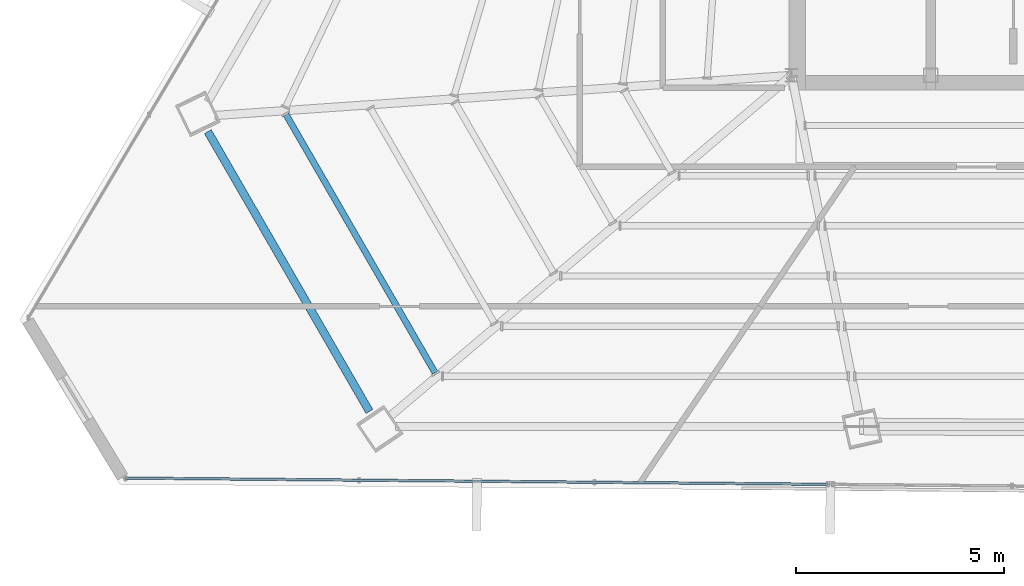
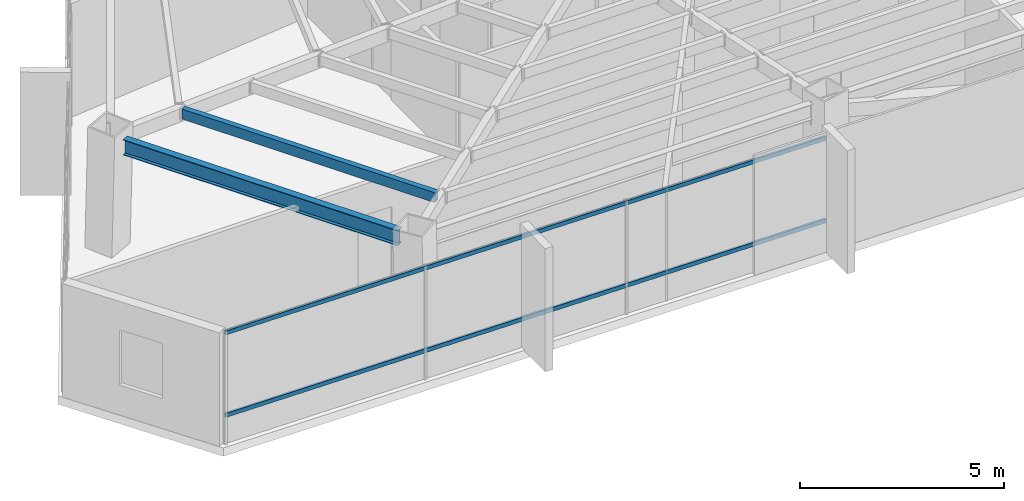
# One storey, part 4 of 49: 2 beams, 2 members, 1 element without a shape of its own.
"""IFC4 building model written with IfcOpenShell, lengths in metres."""

from ifc_helpers import new_model, si_unit, direction, frame, origin, origin_2d, place, context, subcontext, project, spatial, hollow_rectangle, i_section, extrude, source, transform, mapped, material, material_profile, profile_set, type_object, type_shapes, element, aggregate, save


model = new_model("IFC4")

# Units and contexts
model_context = context("Model", 3, precision=1e-05, world=origin(), true_north=direction((0.0, 1.0)))
body_context = subcontext(model_context, "Body", "Model", "MODEL_VIEW")
ifc_project = project(units=[si_unit("LENGTHUNIT", "METRE"), si_unit("AREAUNIT", "SQUARE_METRE"), si_unit("VOLUMEUNIT", "CUBIC_METRE"), si_unit("PLANEANGLEUNIT", "RADIAN"), si_unit("MASSUNIT", "GRAM", prefix="KILO")], contexts=[model_context])

# Site, building, storey
site_placement = place(None, origin())
site = spatial("IfcSite", under=ifc_project, at=site_placement, CompositionType="ELEMENT")
building_placement = place(site_placement, origin())
building = spatial("IfcBuilding", under=site, at=building_placement, Name="Caelisora Broadcast Tower", CompositionType="ELEMENT")
storey_placement = place(building_placement, frame((0.0, 0.0, 233.5)))
storey = spatial("IfcBuildingStorey", under=building, at=storey_placement, Name="L61", CompositionType="ELEMENT", Elevation=233.5)

# Beams
ifc_material_1 = material(Name="Steel Grade 350 (AS/NZS 3679.1)", Category="steel")
ifc_material_profile_1 = material_profile(ifc_material_1, i_section(OverallWidth=0.19091796875, OverallDepth=0.46044921875, WebThickness=0.010009765625, FlangeThickness=0.01611328125, at=origin_2d()), Name="Steel Grade 350 (AS/NZS 3679.1)")
ifc_profile_set_1 = profile_set([ifc_material_profile_1], Name="Steel Grade 350 (AS/NZS 3679.1)")
beam_type_1 = type_object("IfcBeamType", Name="PG06", PredefinedType="BEAM", material=ifc_profile_set_1)
shared_shape_1 = source(origin(), body_context, "Body", "SweptSolid", [
    extrude(i_section(OverallWidth=0.19091796875, OverallDepth=0.46044921875, WebThickness=0.010009765625, FlangeThickness=0.01611328125, at=origin_2d()), origin(), (0.0, 0.0, 1.0), 7.77978515625),
])
type_shapes(beam_type_1, [shared_shape_1])
beam_1_placement = place(storey_placement, frame((16.447509765625, 16.04833984375, 3.169921875), z_axis=(0.499996813733, -0.866027243369, 0.0), x_axis=(0.866027243369, 0.499996813733, 0.0)))
element("IfcBeam", 1, at=beam_1_placement, inside=storey, type_object=beam_type_1, Name="L61 beam PG06", PredefinedType="BEAM", context=body_context, shape_type="MappedRepresentation", body=[
    mapped(shared_shape_1, transform((0.0, 0.0, 0.0), scale=1.0)),
])
ifc_material_2 = material(Name="Steel Grade 350 (AS/NZS 1163 C350L0)", Category="steel")
ifc_material_profile_2 = material_profile(ifc_material_2, hollow_rectangle(XDim=0.14990234375, YDim=0.300048828125, WallThickness=0.010009765625, at=origin_2d()), Name="Steel Grade 350 (AS/NZS 1163 C350L0)")
ifc_profile_set_2 = profile_set([ifc_material_profile_2], Name="Steel Grade 350 (AS/NZS 1163 C350L0)")
beam_type_2 = type_object("IfcBeamType", Name="SB05", PredefinedType="JOIST", material=ifc_profile_set_2)
shared_shape_2 = source(origin(), body_context, "Body", "SweptSolid", [
    extrude(hollow_rectangle(XDim=0.14990234375, YDim=0.300048828125, WallThickness=0.010009765625, at=origin_2d()), origin(), (0.0, 0.0, 1.0), 7.174560546875),
])
type_shapes(beam_type_2, [shared_shape_2])
beam_2_placement = place(storey_placement, frame((18.330810546875, 16.456298828125, 3.25), z_axis=(0.500011118242, -0.866018984569, 0.0), x_axis=(0.866018984569, 0.500011118242, 0.0)))
element("IfcBeam", 2, at=beam_2_placement, inside=storey, type_object=beam_type_2, Name="L61 beam SB05", PredefinedType="JOIST", context=body_context, shape_type="MappedRepresentation", body=[
    mapped(shared_shape_2, transform((0.0, 0.0, 0.0), scale=1.0)),
])

# Curtain wall, members
ifc_material_3 = material(Name="Unitised Aluminium and Low-E Glass Curtain Wall", Category="glass")
curtain_wall_type = type_object("IfcCurtainWallType", Name="CW-Z5", PredefinedType="NOTDEFINED", material=ifc_material_3)
curtain_wall_placement = place(storey_placement, origin())
curtain_wall = element("IfcCurtainWall", 3, at=curtain_wall_placement, inside=storey, type_object=curtain_wall_type, Name="L61 curtain wall CW-Z5", PredefinedType="NOTDEFINED")
ifc_material_4 = material(Name="Aluminium 6063-T6 Anodised Terracotta Bronze", Category="aluminium")
ifc_material_profile_3 = material_profile(ifc_material_4, hollow_rectangle(XDim=0.06005859375, YDim=0.1201171875, WallThickness=0.0029296875, at=origin_2d()), Name="Aluminium 6063-T6 Anodised Terracotta Bronze")
ifc_profile_set_3 = profile_set([ifc_material_profile_3], Name="Aluminium 6063-T6 Anodised Terracotta Bronze")
member_type = type_object("IfcMemberType", Name="CWT-03", PredefinedType="USERDEFINED", material=ifc_profile_set_3)
shared_shape_3 = source(origin(), body_context, "Body", "SweptSolid", [
    extrude(hollow_rectangle(XDim=0.06005859375, YDim=0.1201171875, WallThickness=0.0029296875, at=origin_2d()), origin(), (0.0, 0.0, 1.0), 16.919189453125),
])
type_shapes(member_type, [shared_shape_3])
member_1_placement = place(storey_placement, frame((31.38134765625, 7.556884765625, 0.85009765625), z_axis=(-0.999960365525, 0.008903222972, 0.0), x_axis=(-0.008903222972, -0.999960365525, 0.0)))
member_1 = element("IfcMember", 4, at=member_1_placement, type_object=member_type, Name="L61-CW-B07 transom #1", ObjectType="TRANSOM", PredefinedType="USERDEFINED", context=body_context, shape_type="MappedRepresentation", body=[
    mapped(shared_shape_3, transform((0.0, 0.0, 0.0), scale=1.0)),
])
member_2_placement = place(storey_placement, frame((31.38134765625, 7.556884765625, 3.320068359375), z_axis=(-0.999960365525, 0.008903222972, 0.0), x_axis=(-0.008903222972, -0.999960365525, 0.0)))
member_2 = element("IfcMember", 5, at=member_2_placement, type_object=member_type, Name="L61-CW-B07 transom #2", ObjectType="TRANSOM", PredefinedType="USERDEFINED", context=body_context, shape_type="MappedRepresentation", body=[
    mapped(shared_shape_3, transform((0.0, 0.0, 0.0), scale=1.0)),
])
aggregate(curtain_wall, [member_1, member_2])

save(model, "model.ifc")
